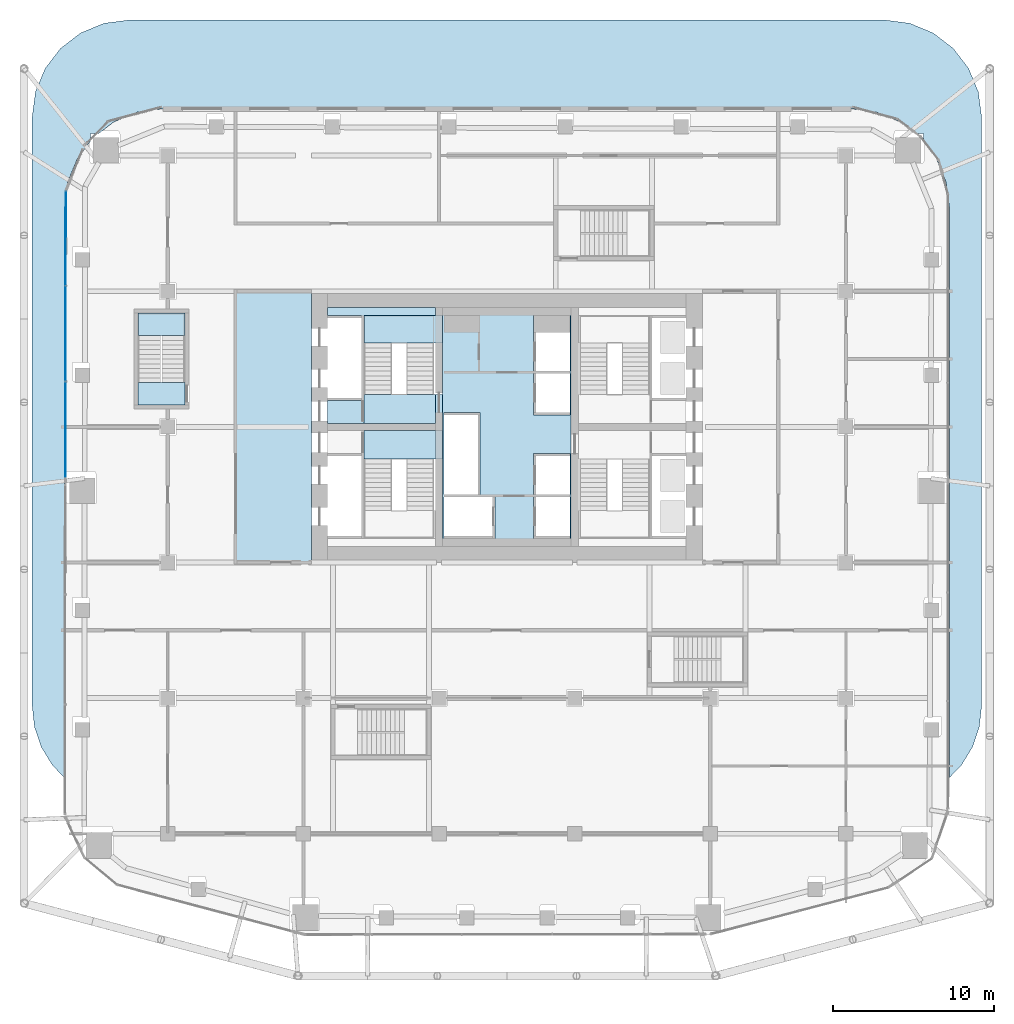
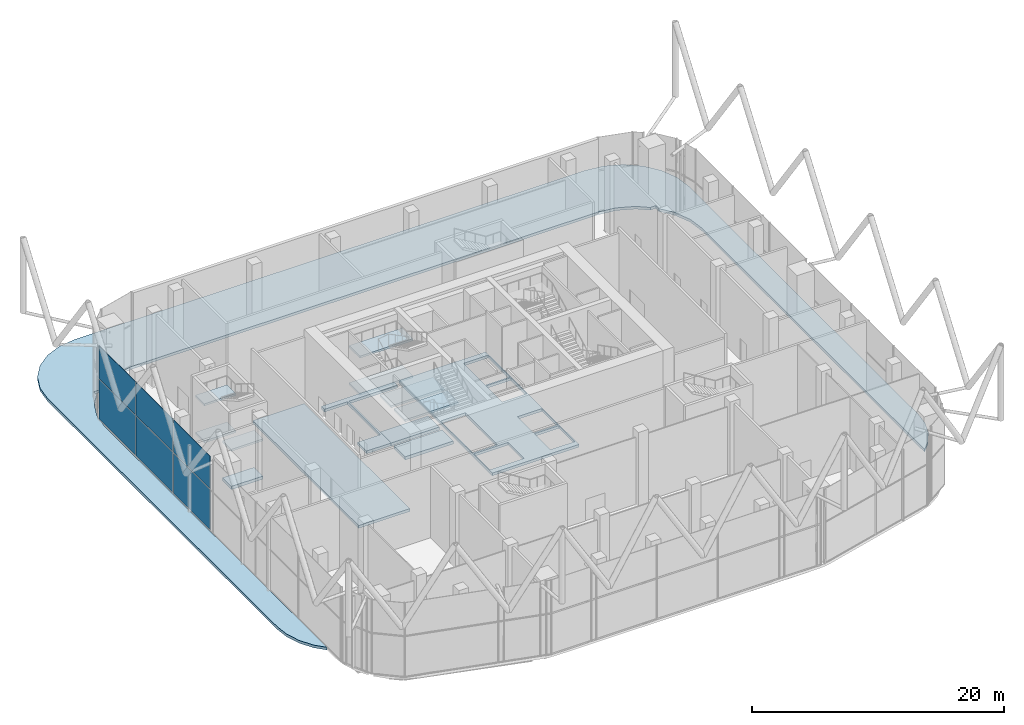
# One storey, part 22 of 34: 14 slabs, 6 plates, 4 elements without a shape of their own.
"""IFC4 building model written with IfcOpenShell, lengths in metres."""

from ifc_helpers import new_model, si_unit, direction, frame, origin, origin_2d, place, context, subcontext, project, spatial, polyline, rectangle, outline, extrude, material, layer, layer_set, type_object, element, aggregate, save


model = new_model("IFC4")

# Units and contexts
model_context = context("Model", 3, precision=1e-05, world=origin(), true_north=direction((0.0, 1.0)))
body_context = subcontext(model_context, "Body", "Model", "MODEL_VIEW")
ifc_project = project(units=[si_unit("LENGTHUNIT", "METRE"), si_unit("AREAUNIT", "SQUARE_METRE"), si_unit("VOLUMEUNIT", "CUBIC_METRE"), si_unit("PLANEANGLEUNIT", "RADIAN"), si_unit("MASSUNIT", "GRAM", prefix="KILO")], contexts=[model_context])

# Site, building, storey
site_placement = place(None, origin())
site = spatial("IfcSite", under=ifc_project, at=site_placement, CompositionType="ELEMENT")
building_placement = place(site_placement, origin())
building = spatial("IfcBuilding", under=site, at=building_placement, Name="Marenta Gate Hotel Tower", CompositionType="ELEMENT")
storey_placement = place(building_placement, frame((0.0, 0.0, 97.699951171875)))
storey = spatial("IfcBuildingStorey", under=building, at=storey_placement, Name="L21", CompositionType="ELEMENT", Elevation=97.699951171875)

# Slabs
ifc_material_1 = material(Name="Concrete C40", Category="concrete")
ifc_layer_1 = layer(ifc_material_1, 0.260009765625)
ifc_layer_set_1 = layer_set([ifc_layer_1], Name="Concrete C40")
slab_type_1 = type_object("IfcSlabType", Name="Core floor slab 260", PredefinedType="FLOOR", material=ifc_layer_set_1)
slab_1_placement = place(storey_placement, frame((0.0, 0.0, -0.260009765625)))
element("IfcSlab", 1, at=slab_1_placement, inside=storey, type_object=slab_type_1, Name="L21-CF-4", PredefinedType="FLOOR", context=body_context, shape_type="SweptSolid", body=[
    extrude(outline(polyline([(3.97509765625, 15.300048828125), (3.97509765625, 10.39990234375), (3.97509765625, 6.39990234375), (3.97509765625, 1.5), (3.97509765625, 1.0), (-3.97509765625, 1.0), (-3.97509765625, 1.5), (-3.97509765625, 6.39990234375), (-3.97509765625, 10.39990234375), (-3.97509765625, 15.300048828125), (-3.97509765625, 15.800048828125), (3.97509765625, 15.800048828125), (3.97509765625, 15.300048828125)]), holes=[polyline([(1.64990234375, 6.75), (1.64990234375, 6.60009765625), (1.64990234375, 4.199951171875), (1.800048828125, 4.199951171875), (3.89990234375, 4.199951171875), (3.89990234375, 6.60009765625), (3.89990234375, 6.75), (1.64990234375, 6.75)]), polyline([(1.64990234375, 9.300048828125), (1.64990234375, 9.14990234375), (3.89990234375, 9.14990234375), (3.89990234375, 9.300048828125), (3.89990234375, 11.699951171875), (1.800048828125, 11.699951171875), (1.64990234375, 11.699951171875), (1.64990234375, 9.300048828125)]), polyline([(1.64990234375, 15.300048828125), (1.64990234375, 14.25), (1.64990234375, 11.85009765625), (1.800048828125, 11.85009765625), (3.89990234375, 11.85009765625), (3.89990234375, 14.25), (3.89990234375, 15.300048828125), (1.64990234375, 15.300048828125)]), polyline([(3.89990234375, 4.050048828125), (1.800048828125, 4.050048828125), (1.64990234375, 4.050048828125), (1.64990234375, 1.64990234375), (1.64990234375, 1.5), (3.89990234375, 1.5), (3.89990234375, 1.64990234375), (3.89990234375, 4.050048828125)]), polyline([(-3.89990234375, 1.5), (-0.89990234375, 1.5), (-0.75, 1.5), (-0.75, 4.050048828125), (-0.89990234375, 4.050048828125), (-3.89990234375, 4.050048828125), (-3.89990234375, 1.64990234375), (-3.89990234375, 1.5)]), polyline([(-3.89990234375, 6.60009765625), (-3.89990234375, 4.199951171875), (-1.800048828125, 4.199951171875), (-1.64990234375, 4.199951171875), (-1.64990234375, 9.14990234375), (-1.64990234375, 9.300048828125), (-3.89990234375, 9.300048828125), (-3.89990234375, 9.14990234375), (-3.89990234375, 6.75), (-3.89990234375, 6.60009765625)])]), origin(), (0.0, 0.0, 1.0), 0.260009765625),
])
slab_2_placement = place(storey_placement, frame((0.0, 0.0, -0.260009765625)))
element("IfcSlab", 2, at=slab_2_placement, inside=storey, type_object=slab_type_1, Name="L21-CF-6", PredefinedType="FLOOR", context=body_context, shape_type="SweptSolid", body=[
    extrude(outline(polyline([(-4.425048828125, 15.300048828125), (-8.85009765625, 15.300048828125), (-8.85009765625, 10.39990234375), (-8.85009765625, 8.699951171875), (-8.85009765625, 8.625), (-11.10009765625, 8.625), (-11.10009765625, 10.050048828125), (-9.0, 10.050048828125), (-9.0, 10.199951171875), (-9.0, 12.60009765625), (-9.0, 12.75), (-9.0, 15.14990234375), (-9.0, 15.300048828125), (-11.10009765625, 15.300048828125), (-11.10009765625, 15.800048828125), (-4.425048828125, 15.800048828125), (-4.425048828125, 15.300048828125)])), origin(), (0.0, 0.0, 1.0), 0.260009765625),
])
slab_3_placement = place(storey_placement, frame((0.0, 0.0, -0.260009765625)))
element("IfcSlab", 3, at=slab_3_placement, inside=storey, type_object=slab_type_1, Name="L21-CF-7", PredefinedType="FLOOR", context=body_context, shape_type="SweptSolid", body=[
    extrude(outline(polyline([(-12.10009765625, 16.800048828125), (-12.10009765625, 0.0), (-16.800048828125, 0.0), (-16.800048828125, 16.800048828125), (-12.10009765625, 16.800048828125)])), origin(), (0.0, 0.0, 1.0), 0.260009765625),
])

# Stair, slab
ifc_material_2 = material(Name="Concrete C40", Category="concrete")
stair_type_1 = type_object("IfcStairType", Name="Core exit stair 1700 wide", PredefinedType="HALF_TURN_STAIR", material=ifc_material_2)
stair_1_placement = place(storey_placement, origin())
stair_1 = element("IfcStair", 4, at=stair_1_placement, inside=storey, type_object=stair_type_1, Name="Exit stair 1", PredefinedType="HALF_TURN_STAIR")
ifc_material_3 = material(Name="Concrete C40", Category="concrete")
ifc_layer_2 = layer(ifc_material_3, 0.199951171875)
ifc_layer_set_2 = layer_set([ifc_layer_2], Name="Concrete C40")
slab_type_2 = type_object("IfcSlabType", Name="Core stair landing 200", PredefinedType="LANDING", material=ifc_layer_set_2)
slab_4_placement = place(storey_placement, frame((0.0, 0.0, 3.400146484375)))
slab_4 = element("IfcSlab", 5, at=slab_4_placement, type_object=slab_type_2, Name="SL-200 ST1 landing 2", PredefinedType="LANDING", context=body_context, shape_type="SweptSolid", body=[
    extrude(outline(polyline([(-8.85009765625, 6.39990234375), (-3.97509765625, 6.39990234375), (-3.97509765625, 8.175048828125), (-8.85009765625, 8.175048828125), (-8.85009765625, 6.39990234375)])), origin(), (0.0, 0.0, 1.0), 0.199951171875),
])
aggregate(stair_1, [slab_4])

# Stair, slabs
stair_2_placement = place(storey_placement, origin())
stair_2 = element("IfcStair", 6, at=stair_2_placement, inside=storey, type_object=stair_type_1, Name="Exit stair 2", PredefinedType="HALF_TURN_STAIR")
slab_5_placement = place(storey_placement, frame((0.0, 0.0, 1.60009765625)))
slab_5 = element("IfcSlab", 7, at=slab_5_placement, type_object=slab_type_2, Name="SL-200 ST2 landing 1", PredefinedType="LANDING", context=body_context, shape_type="SweptSolid", body=[
    extrude(outline(polyline([(-8.85009765625, 13.590087890625), (-3.97509765625, 13.590087890625), (-3.97509765625, 15.300048828125), (-8.85009765625, 15.300048828125), (-8.85009765625, 13.590087890625)])), origin(), (0.0, 0.0, 1.0), 0.199951171875),
])
slab_6_placement = place(storey_placement, frame((0.0, 0.0, 3.400146484375)))
slab_6 = element("IfcSlab", 8, at=slab_6_placement, type_object=slab_type_2, Name="SL-200 ST2 landing 2", PredefinedType="LANDING", context=body_context, shape_type="SweptSolid", body=[
    extrude(outline(polyline([(-8.85009765625, 8.625), (-3.97509765625, 8.625), (-3.97509765625, 10.39990234375), (-8.85009765625, 10.39990234375), (-8.85009765625, 8.625)])), origin(), (0.0, 0.0, 1.0), 0.199951171875),
])
slab_7_placement = place(storey_placement, frame((0.0, 0.0, 5.199951171875)))
slab_7 = element("IfcSlab", 9, at=slab_7_placement, type_object=slab_type_2, Name="SL-200 ST2 landing 3", PredefinedType="LANDING", context=body_context, shape_type="SweptSolid", body=[
    extrude(outline(polyline([(-8.85009765625, 13.590087890625), (-3.97509765625, 13.590087890625), (-3.97509765625, 15.300048828125), (-8.85009765625, 15.300048828125), (-8.85009765625, 13.590087890625)])), origin(), (0.0, 0.0, 1.0), 0.2001953125),
])
aggregate(stair_2, [slab_5, slab_6, slab_7])

# Curtain wall, plates
ifc_material_4 = material(Name="Tinted insulated glass in bronze anodised frame", Category="glass")
ifc_layer_3 = layer(ifc_material_4, 0.1298828125)
ifc_layer_set_3 = layer_set([ifc_layer_3], Name="Tinted insulated glass in bronze anodised frame")
curtain_wall_type = type_object("IfcCurtainWallType", Name="Sky lobby glazing CW2", PredefinedType="NOTDEFINED", material=ifc_layer_set_3)
curtain_wall_placement = place(storey_placement, origin())
curtain_wall = element("IfcCurtainWall", 10, at=curtain_wall_placement, inside=storey, type_object=curtain_wall_type, Name="CW2 run G06", PredefinedType="NOTDEFINED")
ifc_material_5 = material(Name="Tinted insulated glass", Category="glass")
ifc_layer_4 = layer(ifc_material_5, 0.033935546875)
ifc_layer_set_4 = layer_set([ifc_layer_4], Name="Tinted insulated glass")
plate_type = type_object("IfcPlateType", Name="Glass panel CW2 34 mm tinted insulated unit", PredefinedType="CURTAIN_PANEL", material=ifc_layer_set_4)
plate_1_placement = place(storey_placement, frame((-27.322021484375, 20.08447265625, 0.080078125), z_axis=(0.0, 0.0, 1.0), x_axis=(-0.001569538853, -0.999998768273, 0.0)))
plate_1 = element("IfcPlate", 11, at=plate_1_placement, type_object=plate_type, Name="CW2 panel 1.1", PredefinedType="CURTAIN_PANEL", context=body_context, shape_type="SweptSolid", body=[
    extrude(rectangle(XDim=5.805419921875, YDim=0.033935546875, at=origin_2d()), origin(), (0.0, 0.0, 1.0), 3.8798828125),
])
plate_2_placement = place(storey_placement, frame((-27.322021484375, 20.08447265625, 4.0400390625), z_axis=(0.0, 0.0, 1.0), x_axis=(-0.001569538853, -0.999998768273, 0.0)))
plate_2 = element("IfcPlate", 12, at=plate_2_placement, type_object=plate_type, Name="CW2 panel 1.2", PredefinedType="CURTAIN_PANEL", context=body_context, shape_type="SweptSolid", body=[
    extrude(rectangle(XDim=5.805419921875, YDim=0.033935546875, at=origin_2d()), origin(), (0.0, 0.0, 1.0), 3.159912109375),
])
plate_3_placement = place(storey_placement, frame((-27.331298828125, 14.17919921875, 0.080078125), z_axis=(0.0, 0.0, 1.0), x_axis=(-0.001569538853, -0.999998768273, 0.0)))
plate_3 = element("IfcPlate", 13, at=plate_3_placement, type_object=plate_type, Name="CW2 panel 2.1", PredefinedType="CURTAIN_PANEL", context=body_context, shape_type="SweptSolid", body=[
    extrude(rectangle(XDim=5.84521484375, YDim=0.033935546875, at=origin_2d()), origin(), (0.0, 0.0, 1.0), 3.8798828125),
])
plate_4_placement = place(storey_placement, frame((-27.331298828125, 14.17919921875, 4.0400390625), z_axis=(0.0, 0.0, 1.0), x_axis=(-0.001569538853, -0.999998768273, 0.0)))
plate_4 = element("IfcPlate", 14, at=plate_4_placement, type_object=plate_type, Name="CW2 panel 2.2", PredefinedType="CURTAIN_PANEL", context=body_context, shape_type="SweptSolid", body=[
    extrude(rectangle(XDim=5.84521484375, YDim=0.033935546875, at=origin_2d()), origin(), (0.0, 0.0, 1.0), 3.159912109375),
])
plate_5_placement = place(storey_placement, frame((-27.340576171875, 8.23388671875, 0.080078125), z_axis=(0.0, 0.0, 1.0), x_axis=(-0.001569538853, -0.999998768273, 0.0)))
plate_5 = element("IfcPlate", 15, at=plate_5_placement, type_object=plate_type, Name="CW2 panel 3.1", PredefinedType="CURTAIN_PANEL", context=body_context, shape_type="SweptSolid", body=[
    extrude(rectangle(XDim=5.88525390625, YDim=0.033935546875, at=origin_2d()), origin(), (0.0, 0.0, 1.0), 3.8798828125),
])
plate_6_placement = place(storey_placement, frame((-27.340576171875, 8.23388671875, 4.0400390625), z_axis=(0.0, 0.0, 1.0), x_axis=(-0.001569538853, -0.999998768273, 0.0)))
plate_6 = element("IfcPlate", 16, at=plate_6_placement, type_object=plate_type, Name="CW2 panel 3.2", PredefinedType="CURTAIN_PANEL", context=body_context, shape_type="SweptSolid", body=[
    extrude(rectangle(XDim=5.88525390625, YDim=0.033935546875, at=origin_2d()), origin(), (0.0, 0.0, 1.0), 3.159912109375),
])
aggregate(curtain_wall, [plate_1, plate_2, plate_3, plate_4, plate_5, plate_6])

# Stair, slabs
ifc_material_6 = material(Name="Concrete C40", Category="concrete")
stair_type_2 = type_object("IfcStairType", Name="Remote exit stair 1400 wide", PredefinedType="HALF_TURN_STAIR", material=ifc_material_6)
stair_3_placement = place(storey_placement, origin())
stair_3 = element("IfcStair", 17, at=stair_3_placement, inside=storey, type_object=stair_type_2, Name="Exit stair RS-Z1-3", PredefinedType="HALF_TURN_STAIR")
ifc_material_7 = material(Name="Concrete C40", Category="concrete")
ifc_layer_5 = layer(ifc_material_7, 0.199951171875)
ifc_layer_set_5 = layer_set([ifc_layer_5], Name="Concrete C40")
slab_type_3 = type_object("IfcSlabType", Name="Remote stair landing 200", PredefinedType="LANDING", material=ifc_layer_set_5)
slab_8_placement = place(storey_placement, frame((0.0, 0.0, 1.60009765625)))
slab_8 = element("IfcSlab", 18, at=slab_8_placement, type_object=slab_type_3, Name="RL-200 RS-Z1-3 landing 1", PredefinedType="LANDING", context=body_context, shape_type="SweptSolid", body=[
    extrude(outline(polyline([(-22.85009765625, 14.050048828125), (-19.949951171875, 14.050048828125), (-19.949951171875, 15.449951171875), (-22.85009765625, 15.449951171875), (-22.85009765625, 14.050048828125)])), origin(), (0.0, 0.0, 1.0), 0.199951171875),
])
slab_9_placement = place(storey_placement, frame((0.0, 0.0, 3.400146484375)))
slab_9 = element("IfcSlab", 19, at=slab_9_placement, type_object=slab_type_3, Name="RL-200 RS-Z1-3 landing 2", PredefinedType="LANDING", context=body_context, shape_type="SweptSolid", body=[
    extrude(outline(polyline([(-22.85009765625, 9.75), (-19.949951171875, 9.75), (-19.949951171875, 11.14990234375), (-22.85009765625, 11.14990234375), (-22.85009765625, 9.75)])), origin(), (0.0, 0.0, 1.0), 0.199951171875),
])
slab_10_placement = place(storey_placement, frame((0.0, 0.0, 5.199951171875)))
slab_10 = element("IfcSlab", 20, at=slab_10_placement, type_object=slab_type_3, Name="RL-200 RS-Z1-3 landing 3", PredefinedType="LANDING", context=body_context, shape_type="SweptSolid", body=[
    extrude(outline(polyline([(-22.85009765625, 14.050048828125), (-19.949951171875, 14.050048828125), (-19.949951171875, 15.449951171875), (-22.85009765625, 15.449951171875), (-22.85009765625, 14.050048828125)])), origin(), (0.0, 0.0, 1.0), 0.2001953125),
])
aggregate(stair_3, [slab_8, slab_9, slab_10])

# Slabs
ifc_material_8 = material(Name="Concrete C40", Category="concrete")
ifc_layer_6 = layer(ifc_material_8, 0.300048828125)
ifc_layer_set_6 = layer_set([ifc_layer_6], Name="Concrete C40")
slab_type_4 = type_object("IfcSlabType", Name="Stair floor landing slab 300", PredefinedType="FLOOR", material=ifc_layer_set_6)
slab_11_placement = place(storey_placement, frame((0.0, 0.0, -0.300048828125)))
element("IfcSlab", 21, at=slab_11_placement, inside=storey, type_object=slab_type_4, Name="L21-CL-ST1-1", PredefinedType="FLOOR", context=body_context, shape_type="SweptSolid", body=[
    extrude(outline(polyline([(-4.425048828125, 6.39990234375), (-8.85009765625, 6.39990234375), (-8.85009765625, 8.10009765625), (-8.85009765625, 8.175048828125), (-4.425048828125, 8.175048828125), (-4.425048828125, 6.39990234375)])), origin(), (0.0, 0.0, 1.0), 0.300048828125),
])
slab_12_placement = place(storey_placement, frame((0.0, 0.0, -0.300048828125)))
element("IfcSlab", 22, at=slab_12_placement, inside=storey, type_object=slab_type_4, Name="L21-CL-ST2-1", PredefinedType="FLOOR", context=body_context, shape_type="SweptSolid", body=[
    extrude(outline(polyline([(-4.425048828125, 8.625), (-8.85009765625, 8.625), (-8.85009765625, 8.699951171875), (-8.85009765625, 10.39990234375), (-4.425048828125, 10.39990234375), (-4.425048828125, 8.625)])), origin(), (0.0, 0.0, 1.0), 0.300048828125),
])
slab_13_placement = place(storey_placement, frame((0.0, 0.0, -0.300048828125)))
element("IfcSlab", 23, at=slab_13_placement, inside=storey, type_object=slab_type_4, Name="L21-RS-Z1-3-CL", PredefinedType="FLOOR", context=body_context, shape_type="SweptSolid", body=[
    extrude(outline(polyline([(-19.949951171875, 9.75), (-19.949951171875, 11.14990234375), (-22.85009765625, 11.14990234375), (-22.85009765625, 9.75), (-19.949951171875, 9.75)])), origin(), (0.0, 0.0, 1.0), 0.300048828125),
])
ifc_material_9 = material(Name="Concrete C35", Category="concrete")
ifc_layer_7 = layer(ifc_material_9, 0.260009765625)
ifc_layer_set_7 = layer_set([ifc_layer_7], Name="Concrete C35")
slab_type_5 = type_object("IfcSlabType", Name="Terrace roof slab 260", PredefinedType="ROOF", material=ifc_layer_set_7)
slab_14_placement = place(storey_placement, frame((0.0, 0.0, -0.260009765625)))
element("IfcSlab", 24, at=slab_14_placement, inside=storey, type_object=slab_type_5, Name="L20-SL-T1", PredefinedType="ROOF", context=body_context, shape_type="SweptSolid", body=[
    extrude(outline(polyline([(-29.39990234375, -8.88427734375), (-29.39990234375, 27.60009765625), (-29.195556640625, 29.15283203125), (-28.59619140625, 30.60009765625), (-27.642578125, 31.842529296875), (-26.39990234375, 32.796142578125), (-24.952880859375, 33.3955078125), (-23.39990234375, 33.60009765625), (23.39990234375, 33.60009765625), (24.952880859375, 33.3955078125), (26.39990234375, 32.796142578125), (27.642578125, 31.842529296875), (28.59619140625, 30.60009765625), (29.195556640625, 29.15283203125), (29.39990234375, 27.60009765625), (29.39990234375, -8.88427734375), (29.257080078125, -10.185302734375), (28.835693359375, -11.42431640625), (28.155517578125, -12.542724609375), (27.39990234375, -13.329833984375), (27.39990234375, 22.006591796875), (27.193115234375, 23.5791015625), (26.58349609375, 25.050537109375), (25.7861328125, 26.089599609375), (25.7861328125, 26.5703125), (25.27978515625, 26.5703125), (24.350341796875, 27.283447265625), (22.87890625, 27.89306640625), (21.306640625, 28.10009765625), (-21.306640625, 28.10009765625), (-22.87890625, 27.89306640625), (-24.350341796875, 27.283447265625), (-25.27978515625, 26.5703125), (-25.7861328125, 26.5703125), (-25.7861328125, 26.089599609375), (-26.58349609375, 25.050537109375), (-27.193115234375, 23.5791015625), (-27.39990234375, 22.006591796875), (-27.39990234375, -13.329833984375), (-28.155517578125, -12.542724609375), (-28.835693359375, -11.42431640625), (-29.257080078125, -10.185302734375), (-29.39990234375, -8.88427734375)])), origin(), (0.0, 0.0, 1.0), 0.260009765625),
])

save(model, "model.ifc")
